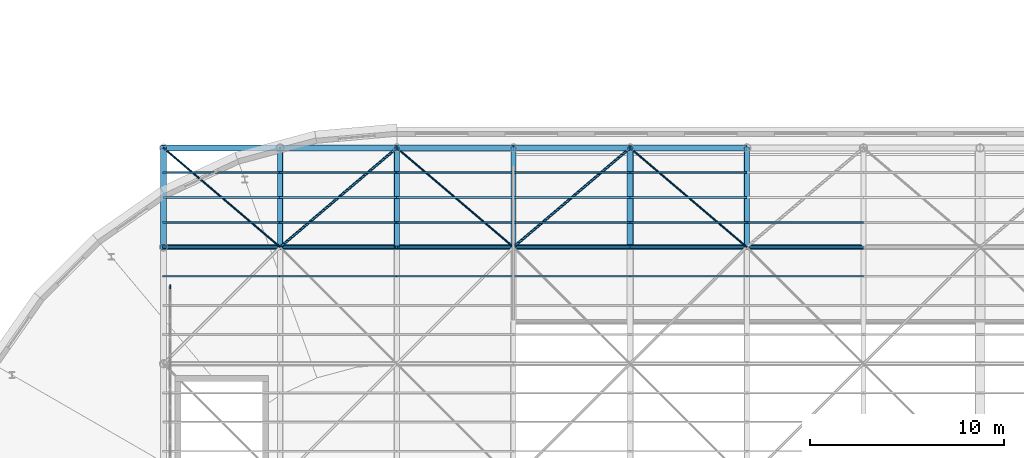
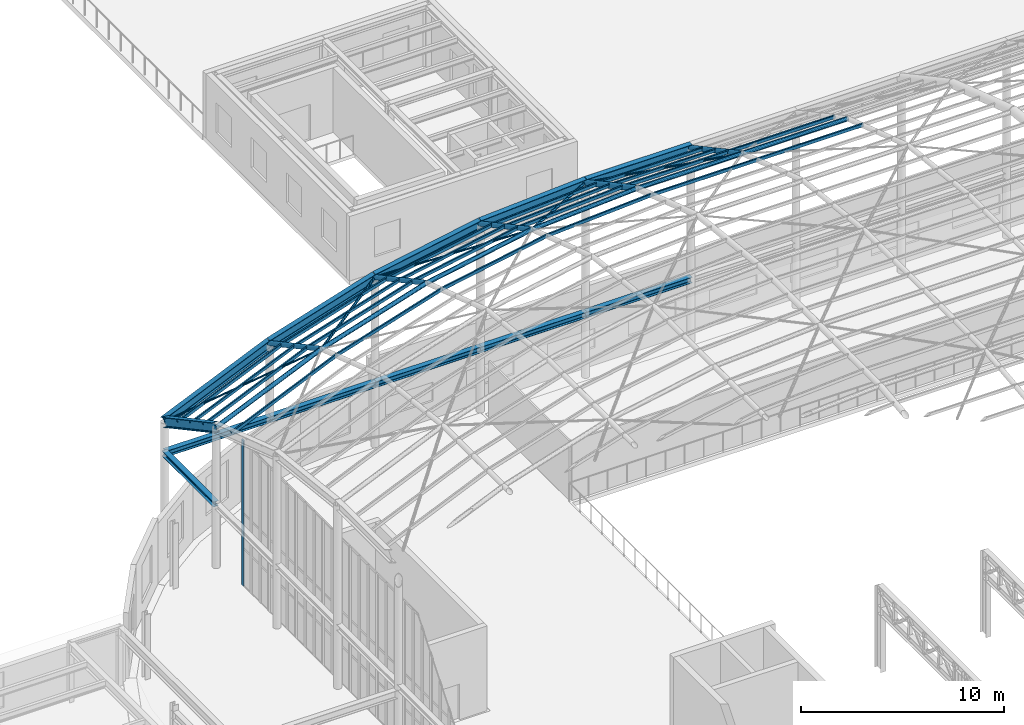
# One storey, part 36 of 75: 39 members, 12 beams, 1 element without a shape of its own.
"""IFC4 building model written with IfcOpenShell, lengths in metres."""

import ifcopenshell
import ifcopenshell.guid

model = None  # the IFC model being written
_history = None  # IfcOwnerHistory: only IFC2X3 demands one
_inside = {}  # id of a spatial element -> (the spatial element, [elements in it])
_under = {}  # id of a project, library or spatial element -> (it, [spatial elements below it])
_declared = {}  # id of a project -> (the project, [libraries it declares])
_typed = {}  # id of a type object -> (the type object, [elements of that type])
_made_of = {}  # id of a material, layer set ... -> (it, [elements and type objects made of it])


def new_model(schema):
    """Start an empty IFC model of exactly this schema.

    Asked for "IFC4X3", IfcOpenShell would pick the latest addendum, in which some entities
    have other attributes; the version numbers below select the first issue.
    IFC2X3 requires an IfcOwnerHistory on every rooted entity: one is made here for all.
    """
    global model, _history
    if schema == "IFC4X3":
        model = ifcopenshell.file(schema_version=(4, 3, 0, 0))
    else:
        model = ifcopenshell.file(schema=schema)
    _inside.clear()
    _under.clear()
    _declared.clear()
    _typed.clear()
    _made_of.clear()
    _history = None
    if model.schema == "IFC2X3":
        org = make("IfcOrganization", Name="unknown")
        user = make(
            "IfcPersonAndOrganization",
            ThePerson=make("IfcPerson", FamilyName="unknown"),
            TheOrganization=org,
        )
        app = make(
            "IfcApplication",
            ApplicationDeveloper=org,
            Version="unknown",
            ApplicationFullName="unknown",
            ApplicationIdentifier="unknown",
        )
        _history = make(
            "IfcOwnerHistory",
            OwningUser=user,
            OwningApplication=app,
            ChangeAction="ADDED",
            CreationDate=0,
        )
    return model


def make(cls, **values):
    """One entity of the class cls with the attributes given. An attribute that is None is left unset."""
    return model.create_entity(
        cls, **{name: value for name, value in values.items() if value is not None}
    )


def rooted(cls, **values):
    """An entity with a GlobalId (a new one), such as an element, a storey or a relation."""
    return make(cls, GlobalId=ifcopenshell.guid.new(), OwnerHistory=_history, **values)


def si_unit(unit_type, name, prefix=None):
    """IfcSIUnit, for example si_unit("LENGTHUNIT", "METRE", prefix="MILLI")."""
    return make("IfcSIUnit", UnitType=unit_type, Prefix=prefix, Name=name)


def assignment(units):
    """IfcUnitAssignment: the units of a project."""
    return None if units is None else make("IfcUnitAssignment", Units=units)


def point(xyz):
    """IfcCartesianPoint."""
    return None if xyz is None else make("IfcCartesianPoint", Coordinates=xyz)


def direction(xyz):
    """IfcDirection."""
    return None if xyz is None else make("IfcDirection", DirectionRatios=xyz)


def frame(location, z_axis=None, x_axis=None):
    """IfcAxis2Placement3D, a coordinate frame: its origin and axes. An axis left out is left unset."""
    return make(
        "IfcAxis2Placement3D",
        Location=point(location),
        Axis=direction(z_axis),
        RefDirection=direction(x_axis),
    )


def frame_2d(location, x_axis=None):
    """IfcAxis2Placement2D, a coordinate frame in the plane: its origin and x axis."""
    return make(
        "IfcAxis2Placement2D", Location=point(location), RefDirection=direction(x_axis)
    )


def origin():
    """The frame at (0, 0, 0) with its axes left unset."""
    return frame((0.0, 0.0, 0.0))


def origin_2d():
    """The frame at (0, 0) in the plane with its x axis left unset."""
    return frame_2d((0.0, 0.0))


def place(relative_to, where):
    """IfcLocalPlacement: puts the frame where relative to a parent placement (None: the world)."""
    return make(
        "IfcLocalPlacement", PlacementRelTo=relative_to, RelativePlacement=where
    )


def context(
    kind, dimensions, precision=None, world=None, true_north=None, identifier=None
):
    """IfcGeometricRepresentationContext, for example the 3D "Model" context."""
    return make(
        "IfcGeometricRepresentationContext",
        ContextIdentifier=identifier,
        ContextType=kind,
        CoordinateSpaceDimension=dimensions,
        Precision=precision,
        WorldCoordinateSystem=world,
        TrueNorth=true_north,
    )


def subcontext(parent, identifier, kind, view, scale=None):
    """IfcGeometricRepresentationSubContext, for example "Body" below "Model"."""
    return make(
        "IfcGeometricRepresentationSubContext",
        ContextIdentifier=identifier,
        ContextType=kind,
        ParentContext=parent,
        TargetScale=scale,
        TargetView=view,
    )


def project(units=None, contexts=None):
    """IfcProject with its units and contexts."""
    return rooted(
        "IfcProject",
        Name="project",
        RepresentationContexts=contexts,
        UnitsInContext=assignment(units),
    )


def spatial(cls, under=None, at=None, **own):
    """A site, building, storey or space (cls), placed at a placement, below another one or the project."""
    s = rooted(cls, ObjectPlacement=at, **own)
    if under is not None:
        _under.setdefault(under.id(), (under, []))[1].append(s)
    return s


def profile(cls, at=None, kind="AREA", **sizes):
    """A parametric profile (cls). Its sizes go by their IFC names, for example OverallWidth=200.0."""
    return make(cls, ProfileType=kind, Position=at, **sizes)


def rectangle(**sizes):
    """IfcRectangleProfileDef."""
    return profile("IfcRectangleProfileDef", **sizes)


def hollow_rectangle(**sizes):
    """IfcRectangleHollowProfileDef."""
    return profile("IfcRectangleHollowProfileDef", **sizes)


def hollow_circle(**sizes):
    """IfcCircleHollowProfileDef."""
    return profile("IfcCircleHollowProfileDef", **sizes)


def i_section(**sizes):
    """IfcIShapeProfileDef."""
    return profile("IfcIShapeProfileDef", **sizes)


def extrude(swept, where, along, depth):
    """IfcExtrudedAreaSolid: the profile swept, set in the frame where, extruded along a direction by depth."""
    return make(
        "IfcExtrudedAreaSolid",
        SweptArea=swept,
        Position=where,
        ExtrudedDirection=direction(along),
        Depth=depth,
    )


def shape(context_of_items, identifier, shape_type, items):
    """IfcShapeRepresentation: the items that make up one representation, for example the "Body"."""
    return make(
        "IfcShapeRepresentation",
        ContextOfItems=context_of_items,
        RepresentationIdentifier=identifier,
        RepresentationType=shape_type,
        Items=items,
    )


def material(Name=None, Category=None):
    """IfcMaterial."""
    return make("IfcMaterial", Name=Name, Category=Category)


def material_profile(
    of_material, cross_section, Name=None, Category=None, Priority=None
):
    """IfcMaterialProfile: a cross section and its material."""
    return make(
        "IfcMaterialProfile",
        Name=Name,
        Material=of_material,
        Profile=cross_section,
        Priority=Priority,
        Category=Category,
    )


def profile_set(profiles, Name=None, composite=None):
    """IfcMaterialProfileSet."""
    return make(
        "IfcMaterialProfileSet",
        Name=Name,
        MaterialProfiles=profiles,
        CompositeProfile=composite,
    )


def made_of(thing, what):
    """Note that an element or type object is made of a material, layer set ...; save() writes the relation."""
    if what is not None:
        _made_of.setdefault(what.id(), (what, []))[1].append(thing)
    return thing


def type_object(cls, material=None, **own):
    """A type object (cls), such as IfcWallType, which elements share."""
    return made_of(rooted(cls, **own), material)


def element(
    cls,
    number,
    at=None,
    inside=None,
    cuts=None,
    type_object=None,
    material=None,
    context=None,
    identifier="Body",
    shape_type=None,
    held_by="IfcProductDefinitionShape",
    body=None,
    shapes=None,
    **own,
):
    """One element of the class cls, such as IfcWall. Its Tag is "e" and its number.

    at: its placement. inside: the storey or other place that contains it. cuts: it is an
    opening in that element (IfcRelVoidsElement). A single representation is given by context,
    identifier, shape_type and body (its items); several are given by shapes. held_by: the class
    of the entity that holds the representations. save() writes the other relations.
    """
    e = rooted(cls, Tag="e%d" % number, ObjectPlacement=at, **own)
    if body is not None:
        shapes = [shape(context, identifier, shape_type, body)]
    if shapes is not None:
        e.Representation = make(held_by, Representations=shapes)
    if inside is not None:
        _inside.setdefault(inside.id(), (inside, []))[1].append(e)
    if cuts is not None:
        rooted(
            "IfcRelVoidsElement", RelatingBuildingElement=cuts, RelatedOpeningElement=e
        )
    if type_object is not None:
        _typed.setdefault(type_object.id(), (type_object, []))[1].append(e)
    return made_of(e, material)


def aggregate(whole, parts):
    """IfcRelAggregates: a whole, such as a stair, and the parts it consists of."""
    return rooted("IfcRelAggregates", RelatingObject=whole, RelatedObjects=parts)


def save(model, path):
    """Write the relations noted so far, then the file.

    IfcRelAggregates (storeys below a building ...), IfcRelContainedInSpatialStructure (elements
    in a storey), IfcRelDefinesByType, IfcRelAssociatesMaterial and IfcRelDeclares: one each for
    every whole, place, type object, material and project.
    """
    for whole, parts in _under.values():
        aggregate(whole, parts)
    for where, things in _inside.values():
        rooted(
            "IfcRelContainedInSpatialStructure",
            RelatedElements=things,
            RelatingStructure=where,
        )
    for kind, things in _typed.values():
        rooted("IfcRelDefinesByType", RelatedObjects=things, RelatingType=kind)
    for what, things in _made_of.values():
        rooted("IfcRelAssociatesMaterial", RelatedObjects=things, RelatingMaterial=what)
    for by, libraries in _declared.values():
        rooted("IfcRelDeclares", RelatingContext=by, RelatedDefinitions=libraries)
    model.write(path)


model = new_model("IFC4")

# Units and contexts
model_context = context("Model", 3, precision=1e-05, world=origin(), true_north=direction((0.0, 1.0)))
body_context = subcontext(model_context, "Body", "Model", "MODEL_VIEW")
ifc_project = project(units=[si_unit("LENGTHUNIT", "METRE"), si_unit("AREAUNIT", "SQUARE_METRE"), si_unit("VOLUMEUNIT", "CUBIC_METRE"), si_unit("PLANEANGLEUNIT", "RADIAN"), si_unit("MASSUNIT", "GRAM", prefix="KILO")], contexts=[model_context])

# Site, building, storey
site_placement = place(None, origin())
site = spatial("IfcSite", under=ifc_project, at=site_placement, CompositionType="ELEMENT")
building_placement = place(site_placement, origin())
building = spatial("IfcBuilding", under=site, at=building_placement, Name="Kolvaren Corner Interchange", CompositionType="ELEMENT")
storey_placement = place(building_placement, frame((0.0, 0.0, 10.5)))
storey = spatial("IfcBuildingStorey", under=building, at=storey_placement, Name="L03", CompositionType="ELEMENT", Elevation=10.5)

# Beams
ifc_material_1 = material(Name="Steel S355", Category="steel")
ifc_material_profile_1 = material_profile(ifc_material_1, i_section(OverallWidth=0.300048828125, OverallDepth=0.31005859375, WebThickness=0.009033203125, FlangeThickness=0.015380859375, FilletRadius=0.027099609375, at=origin_2d()), Name="HEA 320")
ifc_profile_set_1 = profile_set([ifc_material_profile_1], Name="Steel S355")
beam_type_1 = type_object("IfcBeamType", Name="BM-HEA320", PredefinedType="BEAM", material=ifc_profile_set_1)
beam_1_placement = place(storey_placement, frame((48.0, 66.0, 3.794921875), z_axis=(0.0, 1.0, 0.0), x_axis=(-1.0, 0.0, 0.0)))
element("IfcBeam", 1, at=beam_1_placement, inside=storey, type_object=beam_type_1, Name="Storey L03 Grid Y Primary Girder 0932", PredefinedType="BEAM", context=body_context, shape_type="SweptSolid", body=[
    extrude(i_section(OverallWidth=0.300048828125, OverallDepth=0.31005859375, WebThickness=0.009033203125, FlangeThickness=0.015380859375, FilletRadius=0.027099609375, at=origin_2d()), origin(), (0.0, 0.0, 1.0), 5.10009765625),
])
ifc_material_2 = material(Name="Steel S355", Category="steel")
ifc_material_profile_2 = material_profile(ifc_material_2, i_section(OverallWidth=0.300048828125, OverallDepth=0.35009765625, WebThickness=0.010009765625, FlangeThickness=0.017578125, FilletRadius=0.027099609375, at=origin_2d()), Name="HEA 360")
ifc_profile_set_2 = profile_set([ifc_material_profile_2], Name="Steel S355")
beam_type_2 = type_object("IfcBeamType", Name="BM-HEA360", PredefinedType="BEAM", material=ifc_profile_set_2)
for number, where, z_axis, x_axis, name in (
    (2, (48.0, 71.10009765625, 3.77490234375), (1.0, 0.0, 0.0), (0.0, 1.0, 0.0), "Storey L03 Grid X Primary Girder 0873"),
    (3, (54.0, 71.10009765625, 3.77490234375), (1.0, 0.0, 0.0), (0.0, 1.0, 0.0), "Storey L03 Grid X Primary Girder 0874"),
    (4, (60.0, 71.10009765625, 3.77490234375), (1.0, 0.0, 0.0), (0.0, 1.0, 0.0), "Storey L03 Grid X Primary Girder 0875"),
    (5, (66.0, 71.10009765625, 3.77490234375), (1.0, 0.0, 0.0), (0.0, 1.0, 0.0), "Storey L03 Grid X Primary Girder 0876"),
    (6, (72.0, 71.10009765625, 3.77490234375), (1.0, 0.0, 0.0), (0.0, 1.0, 0.0), "Storey L03 Grid X Primary Girder 0877"),
):
    element("IfcBeam", number, at=place(storey_placement, frame(where, z_axis=z_axis, x_axis=x_axis)), inside=storey, type_object=beam_type_2, Name=name, PredefinedType="BEAM", context=body_context, shape_type="SweptSolid", body=[
        extrude(i_section(OverallWidth=0.300048828125, OverallDepth=0.35009765625, WebThickness=0.010009765625, FlangeThickness=0.017578125, FilletRadius=0.027099609375, at=origin_2d()), origin(), (0.0, 0.0, 1.0), 6.0),
    ])
ifc_material_3 = material(Name="Steel S355", Category="steel")
ifc_material_profile_3 = material_profile(ifc_material_3, i_section(OverallWidth=0.300048828125, OverallDepth=0.5400390625, WebThickness=0.012451171875, FlangeThickness=0.02392578125, FilletRadius=0.027099609375, at=origin_2d()), Name="HEA 550")
ifc_profile_set_3 = profile_set([ifc_material_profile_3], Name="Steel S355")
beam_type_3 = type_object("IfcBeamType", Name="BM-HEA550", PredefinedType="BEAM", material=ifc_profile_set_3)
beam_2_placement = place(storey_placement, frame((48.0, 71.10009765625, 5.6650390625), z_axis=(0.916157334902, 0.0, 0.40081883402), x_axis=(0.0, 1.0, 0.0)))
element("IfcBeam", 7, at=beam_2_placement, inside=storey, type_object=beam_type_3, Name="Concourse Translational Gridshell Eaves Ring Beam 015", PredefinedType="BEAM", context=body_context, shape_type="SweptSolid", body=[
    extrude(i_section(OverallWidth=0.300048828125, OverallDepth=0.5400390625, WebThickness=0.012451171875, FlangeThickness=0.02392578125, FilletRadius=0.027099609375, at=origin_2d()), origin(), (0.0, 0.0, 1.0), 6.549072265625),
])
beam_3_placement = place(storey_placement, frame((54.0, 71.10009765625, 8.2900390625), z_axis=(0.954479978035, 0.0, 0.298274993136), x_axis=(0.0, 1.0, 0.0)))
element("IfcBeam", 8, at=beam_3_placement, inside=storey, type_object=beam_type_3, Name="Concourse Translational Gridshell Eaves Ring Beam 016", PredefinedType="BEAM", context=body_context, shape_type="SweptSolid", body=[
    extrude(i_section(OverallWidth=0.300048828125, OverallDepth=0.5400390625, WebThickness=0.012451171875, FlangeThickness=0.02392578125, FilletRadius=0.027099609375, at=origin_2d()), origin(), (0.0, 0.0, 1.0), 6.2861328125),
])
beam_4_placement = place(storey_placement, frame((60.0, 71.10009765625, 10.1650390625), z_axis=(0.982872186934, 0.0, 0.18428853505), x_axis=(0.0, 1.0, 0.0)))
element("IfcBeam", 9, at=beam_4_placement, inside=storey, type_object=beam_type_3, Name="Concourse Translational Gridshell Eaves Ring Beam 017", PredefinedType="BEAM", context=body_context, shape_type="SweptSolid", body=[
    extrude(i_section(OverallWidth=0.300048828125, OverallDepth=0.5400390625, WebThickness=0.012451171875, FlangeThickness=0.02392578125, FilletRadius=0.027099609375, at=origin_2d()), origin(), (0.0, 0.0, 1.0), 6.1044921875),
])
beam_5_placement = place(storey_placement, frame((66.0, 71.10009765625, 11.2900390625), z_axis=(0.998052578483, 0.0, 0.062378286155), x_axis=(0.0, 1.0, 0.0)))
element("IfcBeam", 10, at=beam_5_placement, inside=storey, type_object=beam_type_3, Name="Concourse Translational Gridshell Eaves Ring Beam 018", PredefinedType="BEAM", context=body_context, shape_type="SweptSolid", body=[
    extrude(i_section(OverallWidth=0.300048828125, OverallDepth=0.5400390625, WebThickness=0.012451171875, FlangeThickness=0.02392578125, FilletRadius=0.027099609375, at=origin_2d()), origin(), (0.0, 0.0, 1.0), 6.01171875),
])
beam_6_placement = place(storey_placement, frame((72.0, 71.10009765625, 11.6650390625), z_axis=(1.0, 0.0, 0.0), x_axis=(0.0, 1.0, 0.0)))
element("IfcBeam", 11, at=beam_6_placement, inside=storey, type_object=beam_type_3, Name="Concourse Translational Gridshell Eaves Ring Beam 019", PredefinedType="BEAM", context=body_context, shape_type="SweptSolid", body=[
    extrude(i_section(OverallWidth=0.300048828125, OverallDepth=0.5400390625, WebThickness=0.012451171875, FlangeThickness=0.02392578125, FilletRadius=0.027099609375, at=origin_2d()), origin(), (0.0, 0.0, 1.0), 6.0),
])
beam_7_placement = place(storey_placement, frame((48.0, 66.0, 8.4130859375), z_axis=(0.0, 0.880338454691, -0.474346081666), x_axis=(-1.0, 0.0, 0.0)))
element("IfcBeam", 12, at=beam_7_placement, inside=storey, type_object=beam_type_3, Name="Concourse Translational Gridshell Eaves Ring Beam 036", PredefinedType="BEAM", context=body_context, shape_type="SweptSolid", body=[
    extrude(i_section(OverallWidth=0.300048828125, OverallDepth=0.5400390625, WebThickness=0.012451171875, FlangeThickness=0.02392578125, FilletRadius=0.027099609375, at=origin_2d()), origin(), (0.0, 0.0, 1.0), 5.79345703125),
])

# Members
ifc_material_4 = material(Name="Steel S355", Category="steel")
ifc_material_profile_4 = material_profile(ifc_material_4, hollow_circle(Radius=0.05078125, WallThickness=0.00634765625, at=origin_2d()), Name="CHS 101.6x6.3")
ifc_profile_set_4 = profile_set([ifc_material_profile_4], Name="Steel S355")
member_type_1 = type_object("IfcMemberType", Name="MEM-BR-CHS102", PredefinedType="BRACE", material=ifc_profile_set_4)
member_1_placement = place(storey_placement, frame((48.0, 71.10009765625, 5.6650390625), z_axis=(0.629383841285, -0.534986508969, 0.563618146932), x_axis=(0.647655619635, 0.761933198092, 0.0)))
element("IfcMember", 13, at=member_1_placement, inside=storey, type_object=member_type_1, Name="Concourse Translational Gridshell Nodal Diagonal Brace 0008", PredefinedType="BRACE", context=body_context, shape_type="SweptSolid", body=[
    extrude(hollow_circle(Radius=0.05078125, WallThickness=0.00634765625, at=origin_2d()), origin(), (0.0, 0.0, 1.0), 9.533203125),
])
member_2_placement = place(storey_placement, frame((60.0, 71.10009765625, 10.1650390625), z_axis=(0.683712456602, -0.581166716244, 0.44134173224), x_axis=(0.647655619635, 0.761933198092, 0.0)))
element("IfcMember", 14, at=member_2_placement, inside=storey, type_object=member_type_1, Name="Concourse Translational Gridshell Nodal Diagonal Brace 0024", PredefinedType="BRACE", context=body_context, shape_type="SweptSolid", body=[
    extrude(hollow_circle(Radius=0.05078125, WallThickness=0.00634765625, at=origin_2d()), origin(), (0.0, 0.0, 1.0), 8.775634765625),
])
member_3_placement = place(storey_placement, frame((72.0, 71.10009765625, 11.6650390625), z_axis=(0.719387446525, -0.611491038326, 0.329485070723), x_axis=(0.647655619635, 0.761933198092, 0.0)))
element("IfcMember", 15, at=member_3_placement, inside=storey, type_object=member_type_1, Name="Concourse Translational Gridshell Nodal Diagonal Brace 0040", PredefinedType="BRACE", context=body_context, shape_type="SweptSolid", body=[
    extrude(hollow_circle(Radius=0.05078125, WallThickness=0.00634765625, at=origin_2d()), origin(), (0.0, 0.0, 1.0), 8.34033203125),
])
ifc_material_5 = material(Name="Steel S355", Category="steel")
ifc_material_profile_5 = material_profile(ifc_material_5, hollow_circle(Radius=0.06982421875, WallThickness=0.008056640625, at=origin_2d()), Name="CHS 139.7x8.0")
ifc_profile_set_5 = profile_set([ifc_material_profile_5], Name="Steel S355")
member_type_2 = type_object("IfcMemberType", Name="MEM-BR-CHS140", PredefinedType="BRACE", material=ifc_profile_set_5)
member_4_placement = place(storey_placement, frame((54.0, 66.0, 11.0380859375), z_axis=(0.757293261075, 0.64371159765, -0.11019208584), x_axis=(-0.647655619635, 0.761933198092, 0.0)))
element("IfcMember", 16, at=member_4_placement, inside=storey, type_object=member_type_2, Name="Concourse Translational Gridshell Nodal Diagonal Brace 0016", PredefinedType="BRACE", context=body_context, shape_type="SweptSolid", body=[
    extrude(hollow_circle(Radius=0.06982421875, WallThickness=0.008056640625, at=origin_2d()), origin(), (0.0, 0.0, 1.0), 7.9228515625),
])
member_5_placement = place(storey_placement, frame((66.0, 66.0, 14.0380859375), z_axis=(0.729527914915, 0.620110601504, -0.288533989786), x_axis=(-0.647655619635, 0.761933198092, 0.0)))
element("IfcMember", 17, at=member_5_placement, inside=storey, type_object=member_type_2, Name="Concourse Translational Gridshell Nodal Diagonal Brace 0032", PredefinedType="BRACE", context=body_context, shape_type="SweptSolid", body=[
    extrude(hollow_circle(Radius=0.06982421875, WallThickness=0.008056640625, at=origin_2d()), origin(), (0.0, 0.0, 1.0), 8.224609375),
])
ifc_material_6 = material(Name="Steel S355", Category="steel")
ifc_material_profile_6 = material_profile(ifc_material_6, hollow_circle(Radius=0.122314453125, WallThickness=0.012451171875, at=origin_2d()), Name="CHS 244.5x12.5")
ifc_profile_set_6 = profile_set([ifc_material_profile_6], Name="Steel S355")
member_type_3 = type_object("IfcMemberType", Name="MEM-CH-CHS245", PredefinedType="CHORD", material=ifc_profile_set_6)
member_6_placement = place(storey_placement, frame((48.0, 66.0, 8.4130859375), z_axis=(0.916157334902, 0.0, 0.40081883402), x_axis=(0.0, 1.0, 0.0)))
element("IfcMember", 18, at=member_6_placement, inside=storey, type_object=member_type_3, Name="Concourse Translational Gridshell Longitudinal Arch Chord 0189", PredefinedType="CHORD", context=body_context, shape_type="SweptSolid", body=[
    extrude(hollow_circle(Radius=0.122314453125, WallThickness=0.012451171875, at=origin_2d()), origin(), (0.0, 0.0, 1.0), 6.549072265625),
])
member_7_placement = place(storey_placement, frame((54.0, 66.0, 11.0380859375), z_axis=(0.954479978035, 0.0, 0.298274993136), x_axis=(0.0, 1.0, 0.0)))
element("IfcMember", 19, at=member_7_placement, inside=storey, type_object=member_type_3, Name="Concourse Translational Gridshell Longitudinal Arch Chord 0190", PredefinedType="CHORD", context=body_context, shape_type="SweptSolid", body=[
    extrude(hollow_circle(Radius=0.122314453125, WallThickness=0.012451171875, at=origin_2d()), origin(), (0.0, 0.0, 1.0), 6.2861328125),
])
member_8_placement = place(storey_placement, frame((60.0, 66.0, 12.9130859375), z_axis=(0.982872186934, 0.0, 0.18428853505), x_axis=(0.0, 1.0, 0.0)))
element("IfcMember", 20, at=member_8_placement, inside=storey, type_object=member_type_3, Name="Concourse Translational Gridshell Longitudinal Arch Chord 0191", PredefinedType="CHORD", context=body_context, shape_type="SweptSolid", body=[
    extrude(hollow_circle(Radius=0.122314453125, WallThickness=0.012451171875, at=origin_2d()), origin(), (0.0, 0.0, 1.0), 6.1044921875),
])
member_9_placement = place(storey_placement, frame((66.0, 66.0, 14.0380859375), z_axis=(0.998052578483, 0.0, 0.062378286155), x_axis=(0.0, 1.0, 0.0)))
element("IfcMember", 21, at=member_9_placement, inside=storey, type_object=member_type_3, Name="Concourse Translational Gridshell Longitudinal Arch Chord 0192", PredefinedType="CHORD", context=body_context, shape_type="SweptSolid", body=[
    extrude(hollow_circle(Radius=0.122314453125, WallThickness=0.012451171875, at=origin_2d()), origin(), (0.0, 0.0, 1.0), 6.01171875),
])
for number, where, z_axis, x_axis, name in (
    (22, (72.0, 66.0, 14.4130859375), (1.0, 0.0, 0.0), (0.0, 1.0, 0.0), "Concourse Translational Gridshell Longitudinal Arch Chord 0193"),
    (23, (78.0, 66.0, 14.4130859375), (1.0, 0.0, 0.0), (0.0, 1.0, 0.0), "Concourse Translational Gridshell Longitudinal Arch Chord 0194"),
):
    element("IfcMember", number, at=place(storey_placement, frame(where, z_axis=z_axis, x_axis=x_axis)), inside=storey, type_object=member_type_3, Name=name, PredefinedType="CHORD", context=body_context, shape_type="SweptSolid", body=[
        extrude(hollow_circle(Radius=0.122314453125, WallThickness=0.012451171875, at=origin_2d()), origin(), (0.0, 0.0, 1.0), 6.0),
    ])
ifc_material_7 = material(Name="Steel S355", Category="steel")
ifc_material_profile_7 = material_profile(ifc_material_7, hollow_circle(Radius=0.136474609375, WallThickness=0.012451171875, at=origin_2d()), Name="CHS 273.0x12.5")
ifc_profile_set_7 = profile_set([ifc_material_profile_7], Name="Steel S355")
member_type_4 = type_object("IfcMemberType", Name="MEM-CH-CHS273", PredefinedType="CHORD", material=ifc_profile_set_7)
for number, where, z_axis, x_axis, name in (
    (24, (54.0, 66.0, 11.0380859375), (0.0, 0.880338454691, -0.474346081666), (-1.0, 0.0, 0.0), "Concourse Translational Gridshell Transverse Arch Chord 0008"),
    (25, (60.0, 66.0, 12.9130859375), (0.0, 0.880338454691, -0.474346081666), (-1.0, 0.0, 0.0), "Concourse Translational Gridshell Transverse Arch Chord 0016"),
    (26, (66.0, 66.0, 14.0380859375), (0.0, 0.880338454691, -0.474346081666), (-1.0, 0.0, 0.0), "Concourse Translational Gridshell Transverse Arch Chord 0024"),
    (27, (78.0, 66.0, 14.4130859375), (0.0, 0.880338454691, -0.474346081666), (-1.0, 0.0, 0.0), "Concourse Translational Gridshell Transverse Arch Chord 0040"),
):
    element("IfcMember", number, at=place(storey_placement, frame(where, z_axis=z_axis, x_axis=x_axis)), inside=storey, type_object=member_type_4, Name=name, PredefinedType="CHORD", context=body_context, shape_type="SweptSolid", body=[
        extrude(hollow_circle(Radius=0.136474609375, WallThickness=0.012451171875, at=origin_2d()), origin(), (0.0, 0.0, 1.0), 5.79345703125),
    ])
ifc_material_8 = material(Name="Steel S355", Category="steel")
ifc_material_profile_8 = material_profile(ifc_material_8, hollow_circle(Radius=0.161865234375, WallThickness=0.012451171875, at=origin_2d()), Name="CHS 323.9x12.5")
ifc_profile_set_8 = profile_set([ifc_material_profile_8], Name="Steel S355")
member_type_5 = type_object("IfcMemberType", Name="MEM-CH-CHS324", PredefinedType="CHORD", material=ifc_profile_set_8)
member_10_placement = place(storey_placement, frame((72.0, 66.0, 14.4130859375), z_axis=(0.0, 0.880338454691, -0.474346081666), x_axis=(-1.0, 0.0, 0.0)))
element("IfcMember", 28, at=member_10_placement, inside=storey, type_object=member_type_5, Name="Concourse Translational Gridshell Transverse Arch Chord 0032", PredefinedType="CHORD", context=body_context, shape_type="SweptSolid", body=[
    extrude(hollow_circle(Radius=0.161865234375, WallThickness=0.012451171875, at=origin_2d()), origin(), (0.0, 0.0, 1.0), 5.79345703125),
])
ifc_material_9 = material(Name="Steel S355", Category="steel")
ifc_material_profile_9 = material_profile(ifc_material_9, hollow_rectangle(XDim=0.10009765625, YDim=0.179931640625, WallThickness=0.008056640625, InnerFilletRadius=0.008056640625, OuterFilletRadius=0.01611328125, at=origin_2d()), Name="RHS 180x100x8.0")
ifc_profile_set_9 = profile_set([ifc_material_profile_9], Name="Steel S355")
member_type_6 = type_object("IfcMemberType", Name="MEM-PR-RHS180", PredefinedType="PURLIN", material=ifc_profile_set_9)
member_11_placement = place(storey_placement, frame((48.0, 68.550048828125, 7.0869140625), z_axis=(0.916157334902, 0.0, 0.40081883402), x_axis=(0.0, 1.0, 0.0)))
element("IfcMember", 29, at=member_11_placement, inside=storey, type_object=member_type_6, Name="Concourse Translational Gridshell Glazing Purlin 0008 Row 2", PredefinedType="PURLIN", context=body_context, shape_type="SweptSolid", body=[
    extrude(hollow_rectangle(XDim=0.10009765625, YDim=0.179931640625, WallThickness=0.008056640625, InnerFilletRadius=0.008056640625, OuterFilletRadius=0.01611328125, at=origin_2d()), origin(), (0.0, 0.0, 1.0), 6.549072265625),
])
member_12_placement = place(storey_placement, frame((54.0, 68.550048828125, 9.7119140625), z_axis=(0.954479978035, 0.0, 0.298274993136), x_axis=(0.0, 1.0, 0.0)))
element("IfcMember", 30, at=member_12_placement, inside=storey, type_object=member_type_6, Name="Concourse Translational Gridshell Glazing Purlin 0016 Row 2", PredefinedType="PURLIN", context=body_context, shape_type="SweptSolid", body=[
    extrude(hollow_rectangle(XDim=0.10009765625, YDim=0.179931640625, WallThickness=0.008056640625, InnerFilletRadius=0.008056640625, OuterFilletRadius=0.01611328125, at=origin_2d()), origin(), (0.0, 0.0, 1.0), 6.2861328125),
])
member_13_placement = place(storey_placement, frame((60.0, 68.550048828125, 11.5869140625), z_axis=(0.982872186934, 0.0, 0.18428853505), x_axis=(0.0, 1.0, 0.0)))
element("IfcMember", 31, at=member_13_placement, inside=storey, type_object=member_type_6, Name="Concourse Translational Gridshell Glazing Purlin 0024 Row 2", PredefinedType="PURLIN", context=body_context, shape_type="SweptSolid", body=[
    extrude(hollow_rectangle(XDim=0.10009765625, YDim=0.179931640625, WallThickness=0.008056640625, InnerFilletRadius=0.008056640625, OuterFilletRadius=0.01611328125, at=origin_2d()), origin(), (0.0, 0.0, 1.0), 6.1044921875),
])
member_14_placement = place(storey_placement, frame((66.0, 68.550048828125, 12.7119140625), z_axis=(0.998052578483, 0.0, 0.062378286155), x_axis=(0.0, 1.0, 0.0)))
element("IfcMember", 32, at=member_14_placement, inside=storey, type_object=member_type_6, Name="Concourse Translational Gridshell Glazing Purlin 0032 Row 2", PredefinedType="PURLIN", context=body_context, shape_type="SweptSolid", body=[
    extrude(hollow_rectangle(XDim=0.10009765625, YDim=0.179931640625, WallThickness=0.008056640625, InnerFilletRadius=0.008056640625, OuterFilletRadius=0.01611328125, at=origin_2d()), origin(), (0.0, 0.0, 1.0), 6.01171875),
])
member_15_placement = place(storey_placement, frame((72.0, 68.550048828125, 13.0869140625), z_axis=(1.0, 0.0, 0.0), x_axis=(0.0, 1.0, 0.0)))
element("IfcMember", 33, at=member_15_placement, inside=storey, type_object=member_type_6, Name="Concourse Translational Gridshell Glazing Purlin 0040 Row 2", PredefinedType="PURLIN", context=body_context, shape_type="SweptSolid", body=[
    extrude(hollow_rectangle(XDim=0.10009765625, YDim=0.179931640625, WallThickness=0.008056640625, InnerFilletRadius=0.008056640625, OuterFilletRadius=0.01611328125, at=origin_2d()), origin(), (0.0, 0.0, 1.0), 6.0),
])
ifc_material_10 = material(Name="Steel S355", Category="steel")
ifc_material_profile_10 = material_profile(ifc_material_10, hollow_rectangle(XDim=0.10009765625, YDim=0.199951171875, WallThickness=0.008056640625, InnerFilletRadius=0.008056640625, OuterFilletRadius=0.01611328125, at=origin_2d()), Name="RHS 200x100x8.0")
ifc_profile_set_10 = profile_set([ifc_material_profile_10], Name="Steel S355")
member_type_7 = type_object("IfcMemberType", Name="MEM-PR-RHS200", PredefinedType="PURLIN", material=ifc_profile_set_10)
for number, where, z_axis, x_axis, name in (
    (34, (48.0, 64.5, 8.950927734375), (0.916157334902, 0.0, 0.40081883402), (0.0, 1.0, 0.0), "Concourse Translational Gridshell Glazing Purlin 0007 Row 3"),
    (35, (48.0, 67.27490234375, 7.763916015625), (0.916157334902, 0.0, 0.40081883402), (0.0, 1.0, 0.0), "Concourse Translational Gridshell Glazing Purlin 0008 Row 1"),
    (36, (48.0, 69.824951171875, 6.389892578125), (0.916157334902, 0.0, 0.40081883402), (0.0, 1.0, 0.0), "Concourse Translational Gridshell Glazing Purlin 0008 Row 3"),
):
    element("IfcMember", number, at=place(storey_placement, frame(where, z_axis=z_axis, x_axis=x_axis)), inside=storey, type_object=member_type_7, Name=name, PredefinedType="PURLIN", context=body_context, shape_type="SweptSolid", body=[
        extrude(hollow_rectangle(XDim=0.10009765625, YDim=0.199951171875, WallThickness=0.008056640625, InnerFilletRadius=0.008056640625, OuterFilletRadius=0.01611328125, at=origin_2d()), origin(), (0.0, 0.0, 1.0), 6.549072265625),
    ])
for number, where, z_axis, x_axis, name in (
    (37, (54.0, 64.5, 11.575927734375), (0.954479978035, 0.0, 0.298274993136), (0.0, 1.0, 0.0), "Concourse Translational Gridshell Glazing Purlin 0015 Row 3"),
    (38, (54.0, 67.27490234375, 10.388916015625), (0.954479978035, 0.0, 0.298274993136), (0.0, 1.0, 0.0), "Concourse Translational Gridshell Glazing Purlin 0016 Row 1"),
    (39, (54.0, 69.824951171875, 9.014892578125), (0.954479978035, 0.0, 0.298274993136), (0.0, 1.0, 0.0), "Concourse Translational Gridshell Glazing Purlin 0016 Row 3"),
):
    element("IfcMember", number, at=place(storey_placement, frame(where, z_axis=z_axis, x_axis=x_axis)), inside=storey, type_object=member_type_7, Name=name, PredefinedType="PURLIN", context=body_context, shape_type="SweptSolid", body=[
        extrude(hollow_rectangle(XDim=0.10009765625, YDim=0.199951171875, WallThickness=0.008056640625, InnerFilletRadius=0.008056640625, OuterFilletRadius=0.01611328125, at=origin_2d()), origin(), (0.0, 0.0, 1.0), 6.2861328125),
    ])
for number, where, z_axis, x_axis, name in (
    (40, (60.0, 64.5, 13.450927734375), (0.982872186934, 0.0, 0.18428853505), (0.0, 1.0, 0.0), "Concourse Translational Gridshell Glazing Purlin 0023 Row 3"),
    (41, (60.0, 67.27490234375, 12.263916015625), (0.982872186934, 0.0, 0.18428853505), (0.0, 1.0, 0.0), "Concourse Translational Gridshell Glazing Purlin 0024 Row 1"),
    (42, (60.0, 69.824951171875, 10.889892578125), (0.982872186934, 0.0, 0.18428853505), (0.0, 1.0, 0.0), "Concourse Translational Gridshell Glazing Purlin 0024 Row 3"),
):
    element("IfcMember", number, at=place(storey_placement, frame(where, z_axis=z_axis, x_axis=x_axis)), inside=storey, type_object=member_type_7, Name=name, PredefinedType="PURLIN", context=body_context, shape_type="SweptSolid", body=[
        extrude(hollow_rectangle(XDim=0.10009765625, YDim=0.199951171875, WallThickness=0.008056640625, InnerFilletRadius=0.008056640625, OuterFilletRadius=0.01611328125, at=origin_2d()), origin(), (0.0, 0.0, 1.0), 6.1044921875),
    ])
for number, where, z_axis, x_axis, name in (
    (43, (66.0, 64.5, 14.575927734375), (0.998052578483, 0.0, 0.062378286155), (0.0, 1.0, 0.0), "Concourse Translational Gridshell Glazing Purlin 0031 Row 3"),
    (44, (66.0, 67.27490234375, 13.388916015625), (0.998052578483, 0.0, 0.062378286155), (0.0, 1.0, 0.0), "Concourse Translational Gridshell Glazing Purlin 0032 Row 1"),
    (45, (66.0, 69.824951171875, 12.014892578125), (0.998052578483, 0.0, 0.062378286155), (0.0, 1.0, 0.0), "Concourse Translational Gridshell Glazing Purlin 0032 Row 3"),
):
    element("IfcMember", number, at=place(storey_placement, frame(where, z_axis=z_axis, x_axis=x_axis)), inside=storey, type_object=member_type_7, Name=name, PredefinedType="PURLIN", context=body_context, shape_type="SweptSolid", body=[
        extrude(hollow_rectangle(XDim=0.10009765625, YDim=0.199951171875, WallThickness=0.008056640625, InnerFilletRadius=0.008056640625, OuterFilletRadius=0.01611328125, at=origin_2d()), origin(), (0.0, 0.0, 1.0), 6.01171875),
    ])
for number, where, z_axis, x_axis, name in (
    (46, (72.0, 64.5, 14.950927734375), (1.0, 0.0, 0.0), (0.0, 1.0, 0.0), "Concourse Translational Gridshell Glazing Purlin 0039 Row 3"),
    (47, (72.0, 67.27490234375, 13.763916015625), (1.0, 0.0, 0.0), (0.0, 1.0, 0.0), "Concourse Translational Gridshell Glazing Purlin 0040 Row 1"),
    (48, (72.0, 69.824951171875, 12.389892578125), (1.0, 0.0, 0.0), (0.0, 1.0, 0.0), "Concourse Translational Gridshell Glazing Purlin 0040 Row 3"),
    (49, (78.0, 64.5, 14.950927734375), (1.0, 0.0, 0.0), (0.0, 1.0, 0.0), "Concourse Translational Gridshell Glazing Purlin 0047 Row 3"),
    (50, (78.0, 67.27490234375, 13.763916015625), (1.0, 0.0, 0.0), (0.0, 1.0, 0.0), "Concourse Translational Gridshell Glazing Purlin 0048 Row 1"),
):
    element("IfcMember", number, at=place(storey_placement, frame(where, z_axis=z_axis, x_axis=x_axis)), inside=storey, type_object=member_type_7, Name=name, PredefinedType="PURLIN", context=body_context, shape_type="SweptSolid", body=[
        extrude(hollow_rectangle(XDim=0.10009765625, YDim=0.199951171875, WallThickness=0.008056640625, InnerFilletRadius=0.008056640625, OuterFilletRadius=0.01611328125, at=origin_2d()), origin(), (0.0, 0.0, 1.0), 6.0),
    ])

# Curtain wall, member
ifc_material_11 = material(Name="Unitised Aluminium and Solar-Control Glass Curtain Wall", Category="aluminium")
curtain_wall_type = type_object("IfcCurtainWallType", Name="CW-V1-CLER", PredefinedType="NOTDEFINED", material=ifc_material_11)
curtain_wall_placement = place(storey_placement, origin())
curtain_wall = element("IfcCurtainWall", 51, at=curtain_wall_placement, inside=storey, type_object=curtain_wall_type, Name="Gridshell West End Curtain Wall Bay 12", PredefinedType="NOTDEFINED")
ifc_material_12 = material(Name="Anodised Aluminium Framing", Category="aluminium")
ifc_material_profile_11 = material_profile(ifc_material_12, rectangle(XDim=0.070068359375, YDim=0.199951171875, at=origin_2d()), Name="ALU 70x200")
ifc_profile_set_11 = profile_set([ifc_material_profile_11], Name="Anodised Aluminium Framing")
member_type_8 = type_object("IfcMemberType", Name="MUL-ALU70x200", PredefinedType="MULLION", material=ifc_profile_set_11)
member_16_placement = place(storey_placement, frame((48.35009765625, 63.965087890625, 0.0), z_axis=(0.0, 0.0, 1.0), x_axis=(-1.0, 0.0, 0.0)))
member_16 = element("IfcMember", 52, at=member_16_placement, type_object=member_type_8, Name="CW-093 mullion 4", PredefinedType="MULLION", context=body_context, shape_type="SweptSolid", body=[
    extrude(rectangle(XDim=0.070068359375, YDim=0.199951171875, at=origin_2d()), origin(), (0.0, 0.0, 1.0), 8.77197265625),
])
aggregate(curtain_wall, [member_16])

save(model, "model.ifc")
